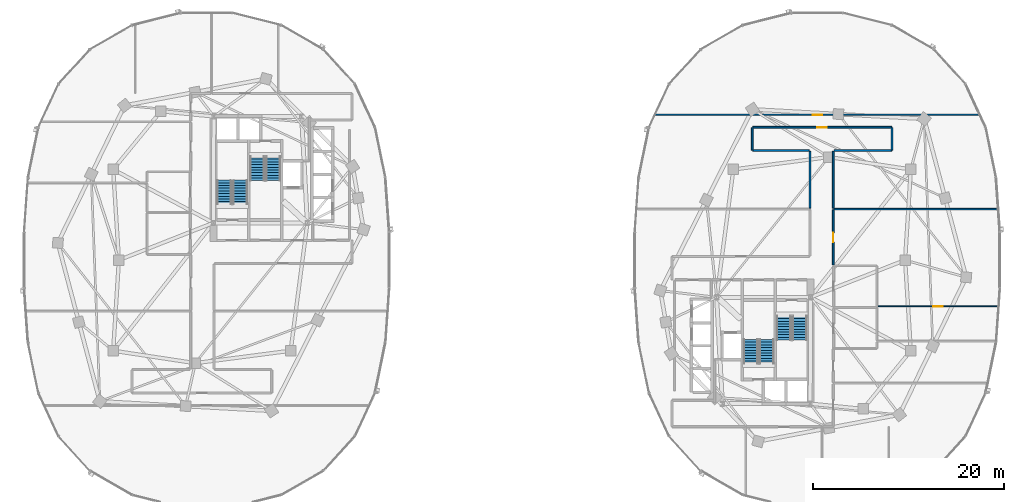
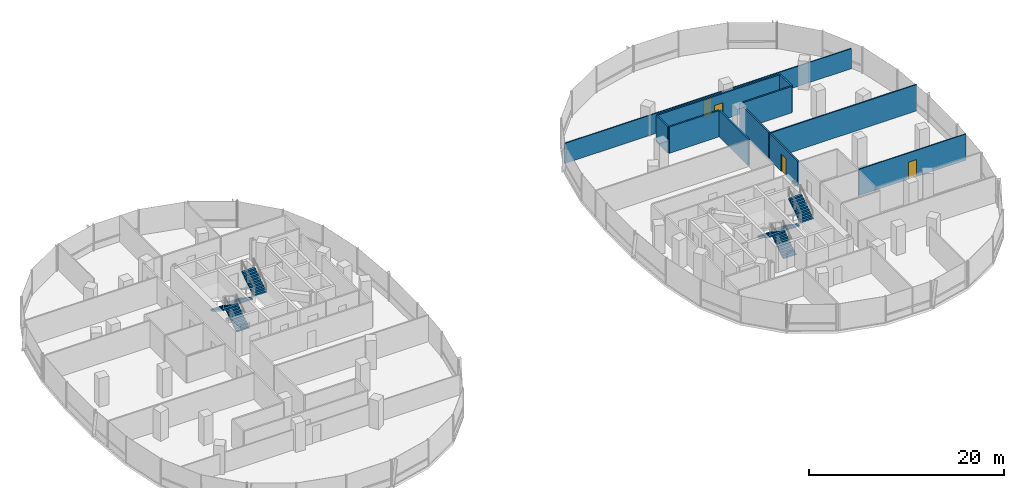
# One storey, part 14 of 21: 11 walls, 8 stair flights, 4 doors, 4 openings, 4 elements without a shape of their own.
"""IFC4 building model written with IfcOpenShell, lengths in metres."""

from ifc_helpers import new_model, si_unit, direction, frame, frame_2d, origin, place, context, subcontext, project, spatial, polyline, rectangle, outline, extrude, material, layer, layer_set, type_object, element, fill, aggregate, save


model = new_model("IFC4")

# Units and contexts
model_context = context("Model", 3, precision=1e-05, world=origin(), true_north=direction((0.0, 1.0)))
body_context = subcontext(model_context, "Body", "Model", "MODEL_VIEW")
ifc_project = project(units=[si_unit("LENGTHUNIT", "METRE"), si_unit("AREAUNIT", "SQUARE_METRE"), si_unit("VOLUMEUNIT", "CUBIC_METRE"), si_unit("PLANEANGLEUNIT", "RADIAN"), si_unit("MASSUNIT", "GRAM", prefix="KILO"), si_unit("THERMODYNAMICTEMPERATUREUNIT", "KELVIN"), si_unit("POWERUNIT", "WATT")], contexts=[model_context])

# Site, building, storey
site_placement = place(None, origin())
site = spatial("IfcSite", under=ifc_project, at=site_placement, CompositionType="ELEMENT")
building_placement = place(site_placement, origin())
building = spatial("IfcBuilding", under=site, at=building_placement, Name="Cundina Bronze Exchange", CompositionType="ELEMENT")
storey_placement = place(building_placement, frame((0.0, 0.0, 117.800048828125)))
storey = spatial("IfcBuildingStorey", under=building, at=storey_placement, Name="L30", CompositionType="ELEMENT", Elevation=117.800048828125)

# Wall, opening, door
ifc_material_1 = material(Name="Gypsum Fireboard Partition EI120")
ifc_layer_1 = layer(ifc_material_1, 0.179931640625, Name="Gypsum Fireboard Partition EI120")
ifc_layer_set_1 = layer_set([ifc_layer_1], Name="Gypsum Fireboard Partition EI120")
wall_type_1 = type_object("IfcWallType", Name="WL-COR-180", PredefinedType="PARTITIONING", material=ifc_layer_set_1)
wall_1_placement = place(storey_placement, frame((33.669921875, -0.508544921875, 0.0), z_axis=(0.0, 0.0, 1.0), x_axis=(0.0, 1.0, 0.0)))
wall_1 = element("IfcWall", 1, at=wall_1_placement, inside=storey, type_object=wall_type_1, Name="L30 Interior Partition 070", PredefinedType="PARTITIONING", context=body_context, shape_type="SweptSolid", body=[
    extrude(rectangle(XDim=5.7685546875, YDim=0.179931640625, at=frame_2d((2.88427734375, 0.0))), origin(), (0.0, 0.0, 1.0), 3.300048828125),
])
opening_1_placement = place(wall_1_placement, frame((2.38427734375, 0.0, 0.0)))
opening_1 = element("IfcOpeningElement", 2, at=opening_1_placement, cuts=wall_1, Name="Opening DO-01", PredefinedType="OPENING", context=body_context, shape_type="SweptSolid", body=[
    extrude(rectangle(XDim=1.0, YDim=2.14990234375, at=frame_2d((0.5, 1.074951171875))), frame((0.0, 0.099853515625, 0.0), z_axis=(0.0, -1.0, 0.0), x_axis=(1.0, 0.0, 0.0)), (0.0, 0.0, 1.0), 0.199951171875),
])
ifc_material_2 = material(Name="Solid Andean Oak Timber Grade A", Category="wood")
door_type = type_object("IfcDoorType", Name="DR-OFF-1000", OperationType="NOTDEFINED", PredefinedType="DOOR", material=ifc_material_2)
door_1_placement = place(opening_1_placement, origin())
door_1 = element("IfcDoor", 3, at=door_1_placement, inside=storey, type_object=door_type, Name="L30 Interior Door 070", OperationType="SINGLE_SWING_LEFT", OverallHeight=2.14990234375, OverallWidth=1.0, PredefinedType="DOOR", context=body_context, shape_type="SweptSolid", body=[
    extrude(rectangle(XDim=1.0, YDim=2.14990234375, at=frame_2d((0.5, 1.074951171875))), frame((0.0, 0.02490234375, 0.0), z_axis=(0.0, -1.0, 0.0), x_axis=(1.0, 0.0, 0.0)), (0.0, 0.0, 1.0), 0.050048828125),
])
fill(opening_1, door_1)

wall_2_placement = place(storey_placement, frame((39.778564453125, 13.919921875, 0.0), z_axis=(0.0, 0.0, 1.0), x_axis=(-1.0, 0.0, 0.0)))
wall_2 = element("IfcWall", 4, at=wall_2_placement, inside=storey, type_object=wall_type_1, Name="L30 Interior Partition 071", PredefinedType="PARTITIONING", context=body_context, shape_type="SweptSolid", body=[
    extrude(rectangle(XDim=14.55712890625, YDim=0.179931640625, at=frame_2d((7.278564453125, 0.0))), origin(), (0.0, 0.0, 1.0), 3.300048828125),
])
opening_2_placement = place(wall_2_placement, frame((6.778564453125, 0.0, 0.0)))
opening_2 = element("IfcOpeningElement", 5, at=opening_2_placement, cuts=wall_2, Name="Opening DO-01", PredefinedType="OPENING", context=body_context, shape_type="SweptSolid", body=[
    extrude(rectangle(XDim=1.0, YDim=2.14990234375, at=frame_2d((0.5, 1.074951171875))), frame((0.0, 0.099853515625, 0.0), z_axis=(0.0, -1.0, 0.0), x_axis=(1.0, 0.0, 0.0)), (0.0, 0.0, 1.0), 0.199951171875),
])
door_2_placement = place(opening_2_placement, origin())
door_2 = element("IfcDoor", 6, at=door_2_placement, inside=storey, type_object=door_type, Name="L30 Interior Door 071", OperationType="SINGLE_SWING_RIGHT", OverallHeight=2.14990234375, OverallWidth=1.0, PredefinedType="DOOR", context=body_context, shape_type="SweptSolid", body=[
    extrude(rectangle(XDim=1.0, YDim=2.14990234375, at=frame_2d((0.5, 1.074951171875))), frame((0.0, 0.02490234375, 0.0), z_axis=(0.0, -1.0, 0.0), x_axis=(1.0, 0.0, 0.0)), (0.0, 0.0, 1.0), 0.050048828125),
])
fill(opening_2, door_2)

# Walls
wall_3_placement = place(storey_placement, frame((33.75, 11.47998046875, 0.0), z_axis=(0.0, 0.0, 1.0), x_axis=(1.0, 0.0, 0.0)))
element("IfcWall", 7, at=wall_3_placement, inside=storey, type_object=wall_type_1, Name="L30 Interior Partition 072", PredefinedType="PARTITIONING", context=body_context, shape_type="SweptSolid", body=[
    extrude(rectangle(XDim=6.028564453125, YDim=0.179931640625, at=frame_2d((3.01416015625, 0.0))), origin(), (0.0, 0.0, 1.0), 3.300048828125),
])
for number, where, z_axis, x_axis, name in (
    (8, (33.669921875, 5.43994140625, 0.0), (0.0, 0.0, 1.0), (0.0, 1.0, 0.0), "L30 Interior Partition 073"),
    (9, (31.22998046875, 11.39990234375, 0.0), (0.0, 0.0, 1.0), (0.0, -1.0, 0.0), "L30 Interior Partition 074"),
):
    element("IfcWall", number, at=place(storey_placement, frame(where, z_axis=z_axis, x_axis=x_axis)), inside=storey, type_object=wall_type_1, Name=name, PredefinedType="PARTITIONING", context=body_context, shape_type="SweptSolid", body=[
        extrude(rectangle(XDim=5.9599609375, YDim=0.179931640625, at=frame_2d((2.97998046875, 0.0))), origin(), (0.0, 0.0, 1.0), 3.300048828125),
    ])
wall_4_placement = place(storey_placement, frame((25.221435546875, 11.47998046875, 0.0), z_axis=(0.0, 0.0, 1.0), x_axis=(1.0, 0.0, 0.0)))
element("IfcWall", 10, at=wall_4_placement, inside=storey, type_object=wall_type_1, Name="L30 Interior Partition 075", PredefinedType="PARTITIONING", context=body_context, shape_type="SweptSolid", body=[
    extrude(rectangle(XDim=5.928466796875, YDim=0.179931640625, at=frame_2d((2.96435546875, 0.0))), origin(), (0.0, 0.0, 1.0), 3.300048828125),
])
for number, where, z_axis, x_axis, name in (
    (11, (39.820068359375, 11.521484375, 0.0), (0.0, 0.0, 1.0), (0.0, 1.0, 0.0), "L30 Interior Partition 076"),
    (12, (25.179931640625, 13.87841796875, 0.0), (0.0, 0.0, 1.0), (0.0, -1.0, 0.0), "L30 Interior Partition 077"),
):
    element("IfcWall", number, at=place(storey_placement, frame(where, z_axis=z_axis, x_axis=x_axis)), inside=storey, type_object=wall_type_1, Name=name, PredefinedType="PARTITIONING", context=body_context, shape_type="SweptSolid", body=[
        extrude(rectangle(XDim=2.35693359375, YDim=0.179931640625, at=frame_2d((1.178466796875, 0.0))), origin(), (0.0, 0.0, 1.0), 3.300048828125),
    ])

# Wall, opening, door
ifc_material_3 = material(Name="Gypsum Acoustic Partition EI60")
ifc_layer_2 = layer(ifc_material_3, 0.125, Name="Gypsum Acoustic Partition EI60")
ifc_layer_set_2 = layer_set([ifc_layer_2], Name="Gypsum Acoustic Partition EI60")
wall_type_2 = type_object("IfcWallType", Name="WL-OFF-125", PredefinedType="PARTITIONING", material=ifc_layer_set_2)
wall_5_placement = place(storey_placement, frame((38.29150390625, -4.85009765625, 0.0), z_axis=(0.0, 0.0, 1.0), x_axis=(1.0, 0.0, 0.0)))
wall_5 = element("IfcWall", 13, at=wall_5_placement, inside=storey, type_object=wall_type_2, Name="L30 Interior Partition 078", PredefinedType="PARTITIONING", context=body_context, shape_type="SweptSolid", body=[
    extrude(rectangle(XDim=12.722900390625, YDim=0.125, at=frame_2d((6.361328125, 0.0))), origin(), (0.0, 0.0, 1.0), 3.300048828125),
])
opening_3_placement = place(wall_5_placement, frame((5.861328125, 0.0, 0.0)))
opening_3 = element("IfcOpeningElement", 14, at=opening_3_placement, cuts=wall_5, Name="Opening DO-01", PredefinedType="OPENING", context=body_context, shape_type="SweptSolid", body=[
    extrude(rectangle(XDim=1.0, YDim=2.14990234375, at=frame_2d((0.5, 1.074951171875))), frame((0.0, 0.072509765625, 0.0), z_axis=(0.0, -1.0, 0.0), x_axis=(1.0, 0.0, 0.0)), (0.0, 0.0, 1.0), 0.14501953125),
])
door_3_placement = place(opening_3_placement, origin())
door_3 = element("IfcDoor", 15, at=door_3_placement, inside=storey, type_object=door_type, Name="L30 Interior Door 078", OperationType="SINGLE_SWING_LEFT", OverallHeight=2.14990234375, OverallWidth=1.0, PredefinedType="DOOR", context=body_context, shape_type="SweptSolid", body=[
    extrude(rectangle(XDim=1.0, YDim=2.14990234375, at=frame_2d((0.5, 1.074951171875))), frame((0.0, 0.02490234375, 0.0), z_axis=(0.0, -1.0, 0.0), x_axis=(1.0, 0.0, 0.0)), (0.0, 0.0, 1.0), 0.050048828125),
])
fill(opening_3, door_3)

wall_6_placement = place(storey_placement, frame((49.005126953125, 15.22998046875, 0.0), z_axis=(0.0, 0.0, 1.0), x_axis=(-1.0, 0.0, 0.0)))
wall_6 = element("IfcWall", 16, at=wall_6_placement, inside=storey, type_object=wall_type_2, Name="L30 Interior Partition 079", PredefinedType="PARTITIONING", context=body_context, shape_type="SweptSolid", body=[
    extrude(rectangle(XDim=34.01025390625, YDim=0.125, at=frame_2d((17.005126953125, 0.0))), origin(), (0.0, 0.0, 1.0), 2.52685546875),
])
opening_4_placement = place(wall_6_placement, frame((16.505126953125, 0.0, 0.0)))
opening_4 = element("IfcOpeningElement", 17, at=opening_4_placement, cuts=wall_6, Name="Opening DO-01", PredefinedType="OPENING", context=body_context, shape_type="SweptSolid", body=[
    extrude(rectangle(XDim=1.0, YDim=2.14990234375, at=frame_2d((0.5, 1.074951171875))), frame((0.0, 0.072509765625, 0.0), z_axis=(0.0, -1.0, 0.0), x_axis=(1.0, 0.0, 0.0)), (0.0, 0.0, 1.0), 0.14501953125),
])
door_4_placement = place(opening_4_placement, origin())
door_4 = element("IfcDoor", 18, at=door_4_placement, inside=storey, type_object=door_type, Name="L30 Interior Door 079", OperationType="SINGLE_SWING_RIGHT", OverallHeight=2.14990234375, OverallWidth=1.0, PredefinedType="DOOR", context=body_context, shape_type="SweptSolid", body=[
    extrude(rectangle(XDim=1.0, YDim=2.14990234375, at=frame_2d((0.5, 1.074951171875))), frame((0.0, 0.02490234375, 0.0), z_axis=(0.0, -1.0, 0.0), x_axis=(1.0, 0.0, 0.0)), (0.0, 0.0, 1.0), 0.050048828125),
])
fill(opening_4, door_4)

# Wall
ifc_layer_3 = layer(ifc_material_3, 0.14990234375, Name="Gypsum Acoustic Partition EI60")
ifc_layer_set_3 = layer_set([ifc_layer_3], Name="Gypsum Acoustic Partition EI60")
wall_type_3 = type_object("IfcWallType", Name="WL-TEN-150", PredefinedType="PARTITIONING", material=ifc_layer_set_3)
wall_7_placement = place(storey_placement, frame((33.699951171875, 5.35009765625, 0.0), z_axis=(0.0, 0.0, 1.0), x_axis=(1.0, 0.0, 0.0)))
element("IfcWall", 19, at=wall_7_placement, inside=storey, type_object=wall_type_3, Name="L30 Interior Partition 054", PredefinedType="PARTITIONING", context=body_context, shape_type="SweptSolid", body=[
    extrude(rectangle(XDim=17.337646484375, YDim=0.14990234375, at=frame_2d((8.6689453125, 0.0))), origin(), (0.0, 0.0, 1.0), 3.300048828125),
])

# Stair, stair flights
ifc_material_4 = material(Name="Concrete C40/50", Category="concrete")
stair_type = type_object("IfcStairType", Name="STR-OFF-360", PredefinedType="HALF_TURN_STAIR", material=ifc_material_4)
stair_1_placement = place(storey_placement, origin())
stair_1 = element("IfcStair", 20, at=stair_1_placement, inside=storey, type_object=stair_type, Name="L30 Smokeproof Exit Stair W1", PredefinedType="HALF_TURN_STAIR")
stair_flight_type = type_object("IfcStairFlightType", Name="FLG-OFF-180", PredefinedType="STRAIGHT", material=ifc_material_4)
stair_flight_1_placement = place(storey_placement, frame((-28.489990234375, 5.85009765625, 0.0), z_axis=(0.0, 0.0, 1.0), x_axis=(0.0, 1.0, 0.0)))
stair_flight_1 = element("IfcStairFlight", 21, at=stair_flight_1_placement, type_object=stair_flight_type, Name="ST-W1 flight 1", NumberOfRisers=10, NumberOfTreads=9, PredefinedType="STRAIGHT", RiserHeight=0.18, TreadLength=0.28, context=body_context, shape_type="SweptSolid", body=[
    extrude(outline(polyline([(0.0, 0.0), (0.0, 0.179931640625), (0.280029296875, 0.179931640625), (0.280029296875, 0.360107421875), (0.56005859375, 0.360107421875), (0.56005859375, 0.5400390625), (0.840087890625, 0.5400390625), (0.840087890625, 0.719970703125), (1.1201171875, 0.719970703125), (1.1201171875, 0.89990234375), (1.39990234375, 0.89990234375), (1.39990234375, 1.080078125), (1.679931640625, 1.080078125), (1.679931640625, 1.260009765625), (1.9599609375, 1.260009765625), (1.9599609375, 1.43994140625), (2.239990234375, 1.43994140625), (2.239990234375, 1.6201171875), (2.52001953125, 1.6201171875), (2.52001953125, 1.800048828125), (2.52001953125, 1.44189453125), (0.277099609375, 0.0), (0.0, 0.0)])), frame((0.0, 0.75, 0.0), z_axis=(0.0, -1.0, 0.0), x_axis=(1.0, 0.0, 0.0)), (0.0, 0.0, 1.0), 1.5),
])
stair_flight_2_placement = place(storey_placement, frame((-30.14990234375, 8.3701171875, 1.800048828125), z_axis=(0.0, 0.0, 1.0), x_axis=(0.0, -1.0, 0.0)))
stair_flight_2 = element("IfcStairFlight", 22, at=stair_flight_2_placement, type_object=stair_flight_type, Name="ST-W1 flight 2", NumberOfRisers=10, NumberOfTreads=9, PredefinedType="STRAIGHT", RiserHeight=0.18, TreadLength=0.28, context=body_context, shape_type="SweptSolid", body=[
    extrude(outline(polyline([(0.0, 0.0), (0.0, 0.179931640625), (0.280029296875, 0.179931640625), (0.280029296875, 0.360107421875), (0.56005859375, 0.360107421875), (0.56005859375, 0.5400390625), (0.840087890625, 0.5400390625), (0.840087890625, 0.719970703125), (1.1201171875, 0.719970703125), (1.1201171875, 0.89990234375), (1.39990234375, 0.89990234375), (1.39990234375, 1.080078125), (1.679931640625, 1.080078125), (1.679931640625, 1.260009765625), (1.9599609375, 1.260009765625), (1.9599609375, 1.43994140625), (2.239990234375, 1.43994140625), (2.239990234375, 1.6201171875), (2.52001953125, 1.6201171875), (2.52001953125, 1.800048828125), (2.52001953125, 1.44189453125), (0.277099609375, 0.0), (0.0, 0.0)])), frame((0.0, 0.75, 0.0), z_axis=(0.0, -1.0, 0.0), x_axis=(1.0, 0.0, 0.0)), (0.0, 0.0, 1.0), 1.5),
])
aggregate(stair_1, [stair_flight_1, stair_flight_2])

stair_2_placement = place(storey_placement, origin())
stair_2 = element("IfcStair", 23, at=stair_2_placement, inside=storey, type_object=stair_type, Name="L30 Smokeproof Exit Stair W2", PredefinedType="HALF_TURN_STAIR")
stair_flight_3_placement = place(storey_placement, frame((-26.68994140625, 10.85009765625, 0.0), z_axis=(0.0, 0.0, 1.0), x_axis=(0.0, -1.0, 0.0)))
stair_flight_3 = element("IfcStairFlight", 24, at=stair_flight_3_placement, type_object=stair_flight_type, Name="ST-W2 flight 1", NumberOfRisers=10, NumberOfTreads=9, PredefinedType="STRAIGHT", RiserHeight=0.18, TreadLength=0.28, context=body_context, shape_type="SweptSolid", body=[
    extrude(outline(polyline([(0.0, 0.0), (0.0, 0.179931640625), (0.280029296875, 0.179931640625), (0.280029296875, 0.360107421875), (0.56005859375, 0.360107421875), (0.56005859375, 0.5400390625), (0.840087890625, 0.5400390625), (0.840087890625, 0.719970703125), (1.1201171875, 0.719970703125), (1.1201171875, 0.89990234375), (1.39990234375, 0.89990234375), (1.39990234375, 1.080078125), (1.679931640625, 1.080078125), (1.679931640625, 1.260009765625), (1.9599609375, 1.260009765625), (1.9599609375, 1.43994140625), (2.239990234375, 1.43994140625), (2.239990234375, 1.6201171875), (2.52001953125, 1.6201171875), (2.52001953125, 1.800048828125), (2.52001953125, 1.44189453125), (0.277099609375, 0.0), (0.0, 0.0)])), frame((0.0, 0.75, 0.0), z_axis=(0.0, -1.0, 0.0), x_axis=(1.0, 0.0, 0.0)), (0.0, 0.0, 1.0), 1.5),
])
stair_flight_4_placement = place(storey_placement, frame((-25.030029296875, 8.330078125, 1.800048828125), z_axis=(0.0, 0.0, 1.0), x_axis=(0.0, 1.0, 0.0)))
stair_flight_4 = element("IfcStairFlight", 25, at=stair_flight_4_placement, type_object=stair_flight_type, Name="ST-W2 flight 2", NumberOfRisers=10, NumberOfTreads=9, PredefinedType="STRAIGHT", RiserHeight=0.18, TreadLength=0.28, context=body_context, shape_type="SweptSolid", body=[
    extrude(outline(polyline([(0.0, 0.0), (0.0, 0.179931640625), (0.280029296875, 0.179931640625), (0.280029296875, 0.360107421875), (0.56005859375, 0.360107421875), (0.56005859375, 0.5400390625), (0.840087890625, 0.5400390625), (0.840087890625, 0.719970703125), (1.1201171875, 0.719970703125), (1.1201171875, 0.89990234375), (1.39990234375, 0.89990234375), (1.39990234375, 1.080078125), (1.679931640625, 1.080078125), (1.679931640625, 1.260009765625), (1.9599609375, 1.260009765625), (1.9599609375, 1.43994140625), (2.239990234375, 1.43994140625), (2.239990234375, 1.6201171875), (2.52001953125, 1.6201171875), (2.52001953125, 1.800048828125), (2.52001953125, 1.44189453125), (0.277099609375, 0.0), (0.0, 0.0)])), frame((0.0, 0.75, 0.0), z_axis=(0.0, -1.0, 0.0), x_axis=(1.0, 0.0, 0.0)), (0.0, 0.0, 1.0), 1.5),
])
aggregate(stair_2, [stair_flight_3, stair_flight_4])

stair_3_placement = place(storey_placement, origin())
stair_3 = element("IfcStair", 26, at=stair_3_placement, inside=storey, type_object=stair_type, Name="L30 Smokeproof Exit Stair E1", PredefinedType="HALF_TURN_STAIR")
stair_flight_5_placement = place(storey_placement, frame((28.489990234375, -5.85009765625, 0.0), z_axis=(0.0, 0.0, 1.0), x_axis=(0.0, -1.0, 0.0)))
stair_flight_5 = element("IfcStairFlight", 27, at=stair_flight_5_placement, type_object=stair_flight_type, Name="ST-E1 flight 1", NumberOfRisers=10, NumberOfTreads=9, PredefinedType="STRAIGHT", RiserHeight=0.18, TreadLength=0.28, context=body_context, shape_type="SweptSolid", body=[
    extrude(outline(polyline([(0.0, 0.0), (0.0, 0.179931640625), (0.280029296875, 0.179931640625), (0.280029296875, 0.360107421875), (0.56005859375, 0.360107421875), (0.56005859375, 0.5400390625), (0.840087890625, 0.5400390625), (0.840087890625, 0.719970703125), (1.1201171875, 0.719970703125), (1.1201171875, 0.89990234375), (1.39990234375, 0.89990234375), (1.39990234375, 1.080078125), (1.679931640625, 1.080078125), (1.679931640625, 1.260009765625), (1.9599609375, 1.260009765625), (1.9599609375, 1.43994140625), (2.239990234375, 1.43994140625), (2.239990234375, 1.6201171875), (2.52001953125, 1.6201171875), (2.52001953125, 1.800048828125), (2.52001953125, 1.44189453125), (0.277099609375, 0.0), (0.0, 0.0)])), frame((0.0, 0.75, 0.0), z_axis=(0.0, -1.0, 0.0), x_axis=(1.0, 0.0, 0.0)), (0.0, 0.0, 1.0), 1.5),
])
stair_flight_6_placement = place(storey_placement, frame((30.14990234375, -8.3701171875, 1.800048828125), z_axis=(0.0, 0.0, 1.0), x_axis=(0.0, 1.0, 0.0)))
stair_flight_6 = element("IfcStairFlight", 28, at=stair_flight_6_placement, type_object=stair_flight_type, Name="ST-E1 flight 2", NumberOfRisers=10, NumberOfTreads=9, PredefinedType="STRAIGHT", RiserHeight=0.18, TreadLength=0.28, context=body_context, shape_type="SweptSolid", body=[
    extrude(outline(polyline([(0.0, 0.0), (0.0, 0.179931640625), (0.280029296875, 0.179931640625), (0.280029296875, 0.360107421875), (0.56005859375, 0.360107421875), (0.56005859375, 0.5400390625), (0.840087890625, 0.5400390625), (0.840087890625, 0.719970703125), (1.1201171875, 0.719970703125), (1.1201171875, 0.89990234375), (1.39990234375, 0.89990234375), (1.39990234375, 1.080078125), (1.679931640625, 1.080078125), (1.679931640625, 1.260009765625), (1.9599609375, 1.260009765625), (1.9599609375, 1.43994140625), (2.239990234375, 1.43994140625), (2.239990234375, 1.6201171875), (2.52001953125, 1.6201171875), (2.52001953125, 1.800048828125), (2.52001953125, 1.44189453125), (0.277099609375, 0.0), (0.0, 0.0)])), frame((0.0, 0.75, 0.0), z_axis=(0.0, -1.0, 0.0), x_axis=(1.0, 0.0, 0.0)), (0.0, 0.0, 1.0), 1.5),
])
aggregate(stair_3, [stair_flight_5, stair_flight_6])

stair_4_placement = place(storey_placement, origin())
stair_4 = element("IfcStair", 29, at=stair_4_placement, inside=storey, type_object=stair_type, Name="L30 Smokeproof Exit Stair E2", PredefinedType="HALF_TURN_STAIR")
stair_flight_7_placement = place(storey_placement, frame((26.68994140625, -10.85009765625, 0.0), z_axis=(0.0, 0.0, 1.0), x_axis=(0.0, 1.0, 0.0)))
stair_flight_7 = element("IfcStairFlight", 30, at=stair_flight_7_placement, type_object=stair_flight_type, Name="ST-E2 flight 1", NumberOfRisers=10, NumberOfTreads=9, PredefinedType="STRAIGHT", RiserHeight=0.18, TreadLength=0.28, context=body_context, shape_type="SweptSolid", body=[
    extrude(outline(polyline([(0.0, 0.0), (0.0, 0.179931640625), (0.280029296875, 0.179931640625), (0.280029296875, 0.360107421875), (0.56005859375, 0.360107421875), (0.56005859375, 0.5400390625), (0.840087890625, 0.5400390625), (0.840087890625, 0.719970703125), (1.1201171875, 0.719970703125), (1.1201171875, 0.89990234375), (1.39990234375, 0.89990234375), (1.39990234375, 1.080078125), (1.679931640625, 1.080078125), (1.679931640625, 1.260009765625), (1.9599609375, 1.260009765625), (1.9599609375, 1.43994140625), (2.239990234375, 1.43994140625), (2.239990234375, 1.6201171875), (2.52001953125, 1.6201171875), (2.52001953125, 1.800048828125), (2.52001953125, 1.44189453125), (0.277099609375, 0.0), (0.0, 0.0)])), frame((0.0, 0.75, 0.0), z_axis=(0.0, -1.0, 0.0), x_axis=(1.0, 0.0, 0.0)), (0.0, 0.0, 1.0), 1.5),
])
stair_flight_8_placement = place(storey_placement, frame((25.030029296875, -8.330078125, 1.800048828125), z_axis=(0.0, 0.0, 1.0), x_axis=(0.0, -1.0, 0.0)))
stair_flight_8 = element("IfcStairFlight", 31, at=stair_flight_8_placement, type_object=stair_flight_type, Name="ST-E2 flight 2", NumberOfRisers=10, NumberOfTreads=9, PredefinedType="STRAIGHT", RiserHeight=0.18, TreadLength=0.28, context=body_context, shape_type="SweptSolid", body=[
    extrude(outline(polyline([(0.0, 0.0), (0.0, 0.179931640625), (0.280029296875, 0.179931640625), (0.280029296875, 0.360107421875), (0.56005859375, 0.360107421875), (0.56005859375, 0.5400390625), (0.840087890625, 0.5400390625), (0.840087890625, 0.719970703125), (1.1201171875, 0.719970703125), (1.1201171875, 0.89990234375), (1.39990234375, 0.89990234375), (1.39990234375, 1.080078125), (1.679931640625, 1.080078125), (1.679931640625, 1.260009765625), (1.9599609375, 1.260009765625), (1.9599609375, 1.43994140625), (2.239990234375, 1.43994140625), (2.239990234375, 1.6201171875), (2.52001953125, 1.6201171875), (2.52001953125, 1.800048828125), (2.52001953125, 1.44189453125), (0.277099609375, 0.0), (0.0, 0.0)])), frame((0.0, 0.75, 0.0), z_axis=(0.0, -1.0, 0.0), x_axis=(1.0, 0.0, 0.0)), (0.0, 0.0, 1.0), 1.5),
])
aggregate(stair_4, [stair_flight_7, stair_flight_8])

save(model, "model.ifc")
